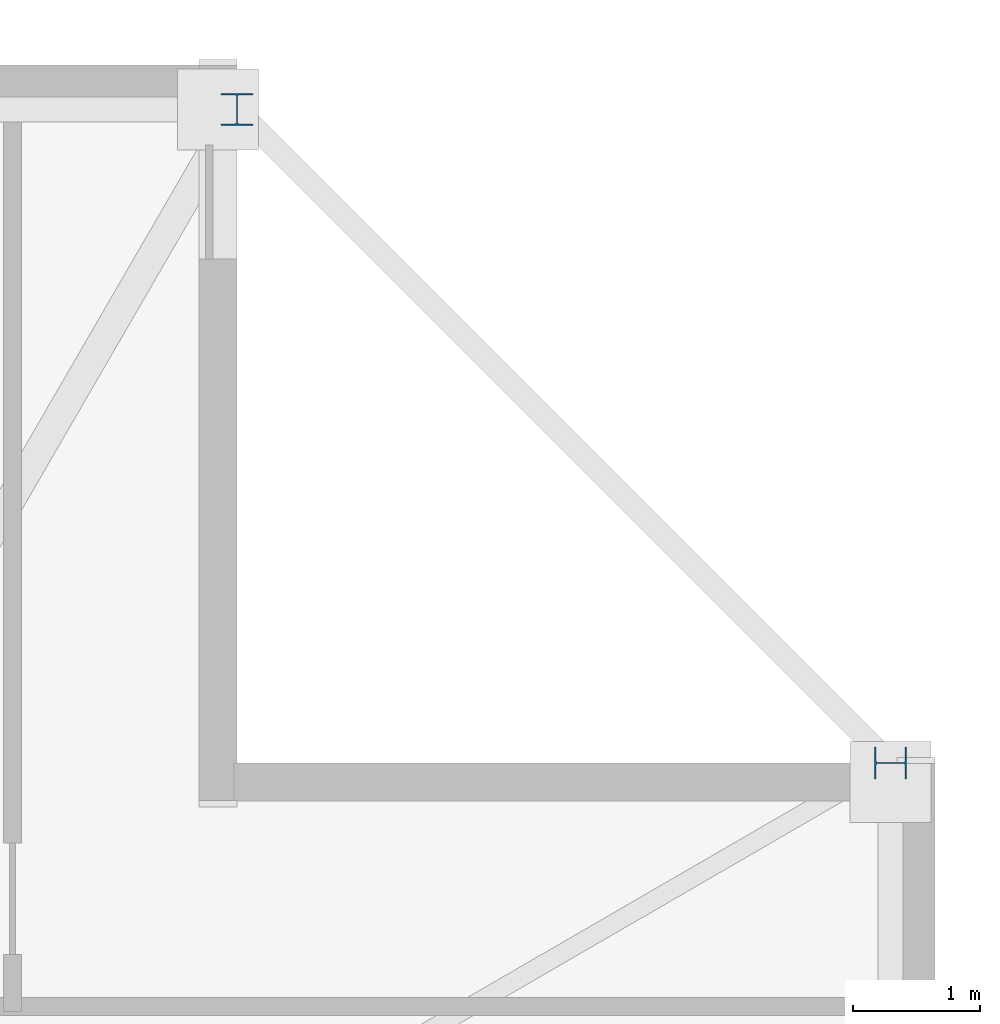
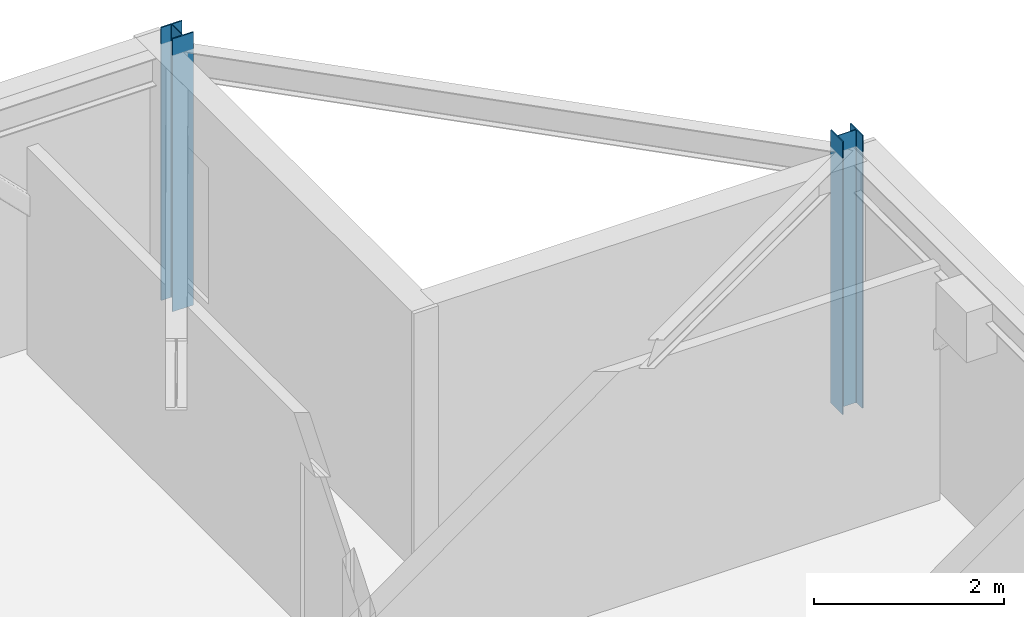
# One storey, part 5 of 15: 2 columns.
"""IFC4 building model written with IfcOpenShell, lengths in metres."""

from ifc_helpers import new_model, si_unit, direction, frame, origin, origin_2d, place, context, subcontext, project, spatial, i_section, extrude, material, material_profile, profile_set, type_object, element, save


model = new_model("IFC4")

# Units and contexts
model_context = context("Model", 3, precision=1e-05, world=origin(), true_north=direction((0.0, 1.0)))
body_context = subcontext(model_context, "Body", "Model", "MODEL_VIEW")
ifc_project = project(units=[si_unit("LENGTHUNIT", "METRE"), si_unit("AREAUNIT", "SQUARE_METRE"), si_unit("VOLUMEUNIT", "CUBIC_METRE"), si_unit("PLANEANGLEUNIT", "RADIAN"), si_unit("MASSUNIT", "GRAM", prefix="KILO")], contexts=[model_context])

# Site, building, storey
site_placement = place(None, origin())
site = spatial("IfcSite", under=ifc_project, at=site_placement, CompositionType="ELEMENT")
building_placement = place(site_placement, origin())
building = spatial("IfcBuilding", under=site, at=building_placement, Name="Cairnveth Concourse Tower", CompositionType="ELEMENT")
storey_placement = place(building_placement, frame((0.0, 0.0, 284.0)))
storey = spatial("IfcBuildingStorey", under=building, at=storey_placement, Name="L78", CompositionType="ELEMENT", Elevation=284.0)

# Columns
ifc_material = material(Name="Steel Grade 350", Category="steel")
ifc_material_profile = material_profile(ifc_material, i_section(OverallWidth=0.25390625, OverallDepth=0.25390625, WebThickness=0.008544921875, FlangeThickness=0.01416015625, FilletRadius=0.012939453125, at=origin_2d()), Name="250UC72.9")
ifc_profile_set = profile_set([ifc_material_profile], Name="Steel Grade 350")
column_type = type_object("IfcColumnType", Name="UNIVERSAL STEEL COLUMN 250UC72.9", PredefinedType="COLUMN", material=ifc_profile_set)
for number, where, z_axis, x_axis, name in (
    (1, (72.64990234375, 54.5, 0.0), (0.0, 0.0, 1.0), (0.0, 1.0, 0.0), "Column P-E4 L78"),
    (2, (67.5, 59.64990234375, 0.0), (0.0, 0.0, 1.0), (1.0, 0.0, 0.0), "Column P-N1 L78"),
):
    element("IfcColumn", number, at=place(storey_placement, frame(where, z_axis=z_axis, x_axis=x_axis)), inside=storey, type_object=column_type, Name=name, PredefinedType="COLUMN", context=body_context, shape_type="SweptSolid", body=[
        extrude(i_section(OverallWidth=0.25390625, OverallDepth=0.25390625, WebThickness=0.008544921875, FlangeThickness=0.01416015625, FilletRadius=0.012939453125, at=origin_2d()), origin(), (0.0, 0.0, 1.0), 3.5),
    ])

save(model, "model.ifc")
